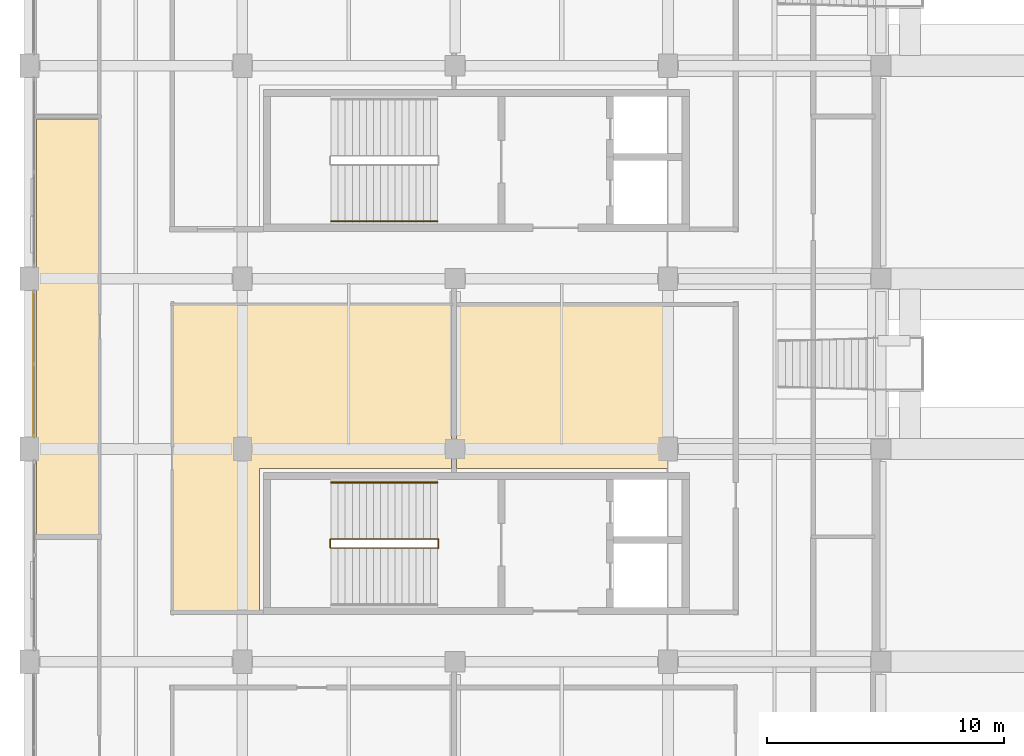
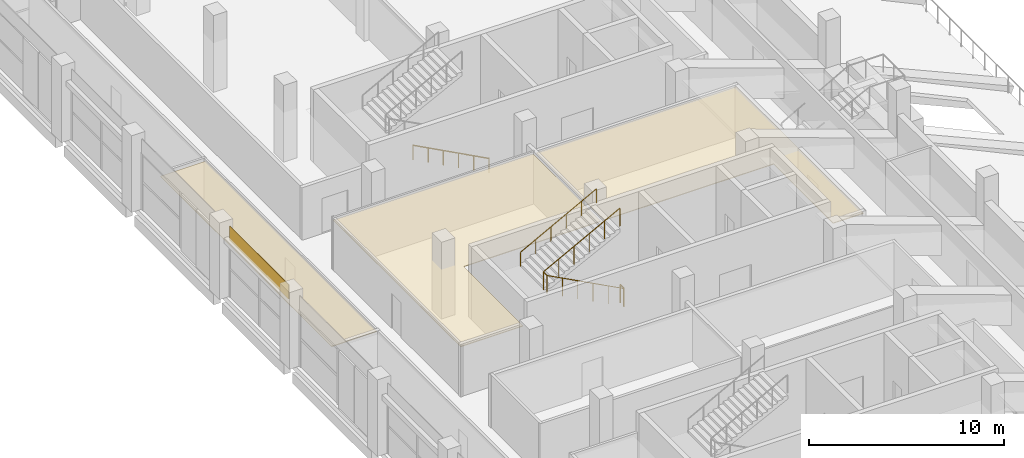
# One storey, part 60 of 66: 4 coverings, 4 railings.
"""IFC4 building model written with IfcOpenShell, lengths in metres."""

from ifc_helpers import new_model, si_unit, direction, frame, origin, origin_2d, place, context, subcontext, project, spatial, polyline, rectangle, circle, outline, extrude, material, layer, layer_set, type_object, element, save


model = new_model("IFC4")

# Units and contexts
model_context = context("Model", 3, precision=1e-05, world=origin(), true_north=direction((0.0, 1.0)))
body_context = subcontext(model_context, "Body", "Model", "MODEL_VIEW")
ifc_project = project(units=[si_unit("LENGTHUNIT", "METRE"), si_unit("AREAUNIT", "SQUARE_METRE"), si_unit("VOLUMEUNIT", "CUBIC_METRE"), si_unit("PLANEANGLEUNIT", "RADIAN"), si_unit("MASSUNIT", "GRAM", prefix="KILO"), si_unit("THERMODYNAMICTEMPERATUREUNIT", "KELVIN"), si_unit("POWERUNIT", "WATT")], contexts=[model_context])

# Site, building, storey
site_placement = place(None, origin())
site = spatial("IfcSite", under=ifc_project, at=site_placement, CompositionType="ELEMENT")
building_placement = place(site_placement, origin())
building = spatial("IfcBuilding", under=site, at=building_placement, Name="Sindhuravela Promenade Stadium", CompositionType="ELEMENT")
storey_placement = place(building_placement, frame((0.0, 0.0, 19.199951171875)))
storey = spatial("IfcBuildingStorey", under=building, at=storey_placement, Name="L04", CompositionType="ELEMENT", Elevation=19.199951171875)

# Coverings
ifc_material_1 = material(Name="Acoustic mineral-fibre ceiling tile", Category="gypsum")
ifc_layer_1 = layer(ifc_material_1, 0.044921875)
ifc_layer_set_1 = layer_set([ifc_layer_1], Name="Acoustic mineral-fibre ceiling tile")
covering_type_1 = type_object("IfcCoveringType", Name="CV-CEIL-2", PredefinedType="CEILING", material=ifc_layer_set_1)
covering_1_placement = place(storey_placement, frame((0.0, 0.0, 3.050048828125)))
element("IfcCovering", 1, at=covering_1_placement, inside=storey, type_object=covering_type_1, Name="Acoustic ceiling Stadium Operations Office", PredefinedType="CEILING", context=body_context, shape_type="SweptSolid", body=[
    extrude(outline(polyline([(6.0400390625, 86.669921875), (6.0380859375, 86.670166015625), (6.0361328125, 86.67041015625), (6.0341796875, 86.6708984375), (6.0322265625, 86.67138671875), (6.030517578125, 86.67236328125), (6.02880859375, 86.67333984375), (6.02734375, 86.674560546875), (6.02587890625, 86.67578125), (6.0244140625, 86.67724609375), (6.0234375, 86.678955078125), (6.0224609375, 86.6806640625), (6.021484375, 86.682373046875), (6.02099609375, 86.68408203125), (6.0205078125, 86.68603515625), (6.02001953125, 86.68798828125), (6.02001953125, 86.68994140625), (6.02001953125, 99.7099609375), (6.02001953125, 99.7119140625), (6.0205078125, 99.7138671875), (6.02099609375, 99.7158203125), (6.021484375, 99.7177734375), (6.0224609375, 99.719482421875), (6.0234375, 99.72119140625), (6.0244140625, 99.72265625), (6.02587890625, 99.72412109375), (6.02734375, 99.7255859375), (6.02880859375, 99.7265625), (6.030517578125, 99.7275390625), (6.0322265625, 99.728515625), (6.0341796875, 99.72900390625), (6.0361328125, 99.7294921875), (6.0380859375, 99.72998046875), (6.0400390625, 99.72998046875), (17.830078125, 99.72998046875), (17.83203125, 99.72998046875), (17.833984375, 99.7294921875), (17.835693359375, 99.72900390625), (17.837646484375, 99.728515625), (17.83935546875, 99.7275390625), (17.841064453125, 99.7265625), (17.8427734375, 99.7255859375), (17.843994140625, 99.72412109375), (17.845458984375, 99.72265625), (17.8466796875, 99.72119140625), (17.84765625, 99.719482421875), (17.848388671875, 99.7177734375), (17.84912109375, 99.7158203125), (17.849609375, 99.7138671875), (17.849853515625, 99.7119140625), (17.85009765625, 99.7099609375), (17.85009765625, 92.800048828125), (17.849853515625, 92.798095703125), (17.849609375, 92.796142578125), (17.84912109375, 92.794189453125), (17.848388671875, 92.792236328125), (17.84765625, 92.79052734375), (17.8466796875, 92.788818359375), (17.845458984375, 92.787353515625), (17.843994140625, 92.785888671875), (17.8427734375, 92.784423828125), (17.841064453125, 92.783447265625), (17.83935546875, 92.782470703125), (17.837646484375, 92.781494140625), (17.835693359375, 92.781005859375), (17.833984375, 92.780517578125), (17.83203125, 92.780029296875), (17.830078125, 92.780029296875), (9.719970703125, 92.780029296875), (9.719970703125, 86.68994140625), (9.719970703125, 86.68798828125), (9.719482421875, 86.68603515625), (9.718994140625, 86.68408203125), (9.718505859375, 86.682373046875), (9.717529296875, 86.6806640625), (9.716552734375, 86.678955078125), (9.715576171875, 86.67724609375), (9.714111328125, 86.67578125), (9.712646484375, 86.674560546875), (9.711181640625, 86.67333984375), (9.70947265625, 86.67236328125), (9.707763671875, 86.67138671875), (9.705810546875, 86.6708984375), (9.703857421875, 86.67041015625), (9.701904296875, 86.670166015625), (9.699951171875, 86.669921875), (6.0400390625, 86.669921875)])), origin(), (0.0, 0.0, 1.0), 0.044921875),
])
covering_2_placement = place(storey_placement, frame((0.0, 0.0, 3.050048828125)))
element("IfcCovering", 2, at=covering_2_placement, inside=storey, type_object=covering_type_1, Name="Acoustic ceiling Accessible WC West L04", PredefinedType="CEILING", context=body_context, shape_type="SweptSolid", body=[
    extrude(outline(polyline([(29.860107421875, 99.72998046875), (29.862060546875, 99.72998046875), (29.864013671875, 99.7294921875), (29.86572265625, 99.72900390625), (29.86767578125, 99.728515625), (29.869384765625, 99.7275390625), (29.87109375, 99.7265625), (29.872802734375, 99.7255859375), (29.8740234375, 99.72412109375), (29.87548828125, 99.72265625), (29.876708984375, 99.72119140625), (29.877685546875, 99.719482421875), (29.87841796875, 99.7177734375), (29.879150390625, 99.7158203125), (29.879638671875, 99.7138671875), (29.8798828125, 99.7119140625), (29.8798828125, 99.7099609375), (29.8798828125, 86.68994140625), (29.8798828125, 86.68798828125), (29.879638671875, 86.68603515625), (29.879150390625, 86.68408203125), (29.87841796875, 86.682373046875), (29.877685546875, 86.6806640625), (29.876708984375, 86.678955078125), (29.87548828125, 86.67724609375), (29.8740234375, 86.67578125), (29.872802734375, 86.674560546875), (29.87109375, 86.67333984375), (29.869384765625, 86.67236328125), (29.86767578125, 86.67138671875), (29.86572265625, 86.6708984375), (29.864013671875, 86.67041015625), (29.862060546875, 86.670166015625), (29.860107421875, 86.669921875), (28.10009765625, 86.669921875), (28.097900390625, 86.670166015625), (28.09619140625, 86.67041015625), (28.09423828125, 86.6708984375), (28.09228515625, 86.67138671875), (28.090576171875, 86.67236328125), (28.0888671875, 86.67333984375), (28.08740234375, 86.674560546875), (28.0859375, 86.67578125), (28.08447265625, 86.67724609375), (28.08349609375, 86.678955078125), (28.08251953125, 86.6806640625), (28.08154296875, 86.682373046875), (28.080810546875, 86.68408203125), (28.080322265625, 86.68603515625), (28.080078125, 86.68798828125), (28.080078125, 86.68994140625), (28.080078125, 92.780029296875), (18.070068359375, 92.780029296875), (18.068115234375, 92.780029296875), (18.066162109375, 92.780517578125), (18.064208984375, 92.781005859375), (18.062255859375, 92.781494140625), (18.060546875, 92.782470703125), (18.058837890625, 92.783447265625), (18.057373046875, 92.784423828125), (18.055908203125, 92.785888671875), (18.054443359375, 92.787353515625), (18.053466796875, 92.788818359375), (18.052490234375, 92.79052734375), (18.051513671875, 92.792236328125), (18.05078125, 92.794189453125), (18.05029296875, 92.796142578125), (18.050048828125, 92.798095703125), (18.050048828125, 92.800048828125), (18.050048828125, 99.7099609375), (18.050048828125, 99.7119140625), (18.05029296875, 99.7138671875), (18.05078125, 99.7158203125), (18.051513671875, 99.7177734375), (18.052490234375, 99.719482421875), (18.053466796875, 99.72119140625), (18.054443359375, 99.72265625), (18.055908203125, 99.72412109375), (18.057373046875, 99.7255859375), (18.058837890625, 99.7265625), (18.060546875, 99.7275390625), (18.062255859375, 99.728515625), (18.064208984375, 99.72900390625), (18.066162109375, 99.7294921875), (18.068115234375, 99.72998046875), (18.070068359375, 99.72998046875), (29.860107421875, 99.72998046875)])), origin(), (0.0, 0.0, 1.0), 0.044921875),
])
covering_3_placement = place(storey_placement, frame((0.0, 0.0, 3.050048828125)))
element("IfcCovering", 3, at=covering_3_placement, inside=storey, type_object=covering_type_1, Name="Acoustic ceiling Supporter Welfare Room West 6", PredefinedType="CEILING", context=body_context, shape_type="SweptSolid", body=[
    extrude(outline(polyline([(2.97998046875, 90.006103515625), (2.97998046875, 90.00390625), (2.9794921875, 90.002197265625), (2.97900390625, 90.000244140625), (2.978515625, 89.998291015625), (2.9775390625, 89.99658203125), (2.9765625, 89.994873046875), (2.9755859375, 89.993408203125), (2.97412109375, 89.991943359375), (2.97265625, 89.990478515625), (2.97119140625, 89.989501953125), (2.969482421875, 89.98828125), (2.9677734375, 89.987548828125), (2.9658203125, 89.98681640625), (2.9638671875, 89.986328125), (2.9619140625, 89.986083984375), (2.9599609375, 89.986083984375), (0.320068359375, 89.986083984375), (0.318115234375, 89.986083984375), (0.316162109375, 89.986328125), (0.314208984375, 89.98681640625), (0.312255859375, 89.987548828125), (0.310546875, 89.98828125), (0.308837890625, 89.989501953125), (0.307373046875, 89.990478515625), (0.305908203125, 89.991943359375), (0.304443359375, 89.993408203125), (0.303466796875, 89.994873046875), (0.302490234375, 89.99658203125), (0.301513671875, 89.998291015625), (0.30078125, 90.000244140625), (0.30029296875, 90.002197265625), (0.300048828125, 90.00390625), (0.300048828125, 90.006103515625), (0.300048828125, 107.5380859375), (0.300048828125, 107.5400390625), (0.30029296875, 107.5419921875), (0.30078125, 107.543701171875), (0.301513671875, 107.545654296875), (0.302490234375, 107.54736328125), (0.303466796875, 107.549072265625), (0.304443359375, 107.55078125), (0.305908203125, 107.552001953125), (0.307373046875, 107.553466796875), (0.308837890625, 107.5546875), (0.310546875, 107.5556640625), (0.312255859375, 107.556396484375), (0.314208984375, 107.55712890625), (0.316162109375, 107.5576171875), (0.318115234375, 107.557861328125), (0.320068359375, 107.55810546875), (2.9599609375, 107.55810546875), (2.9619140625, 107.557861328125), (2.9638671875, 107.5576171875), (2.9658203125, 107.55712890625), (2.9677734375, 107.556396484375), (2.969482421875, 107.5556640625), (2.97119140625, 107.5546875), (2.97265625, 107.553466796875), (2.97412109375, 107.552001953125), (2.9755859375, 107.55078125), (2.9765625, 107.549072265625), (2.9775390625, 107.54736328125), (2.978515625, 107.545654296875), (2.97900390625, 107.543701171875), (2.9794921875, 107.5419921875), (2.97998046875, 107.5400390625), (2.97998046875, 107.5380859375), (2.97998046875, 90.006103515625)])), origin(), (0.0, 0.0, 1.0), 0.044921875),
])
ifc_material_2 = material(Name="Polychrome trencadis ceramic mosaic", Category="masonry")
ifc_layer_2 = layer(ifc_material_2, 0.034912109375)
ifc_layer_set_2 = layer_set([ifc_layer_2], Name="Polychrome trencadis ceramic mosaic")
covering_type_2 = type_object("IfcCoveringType", Name="CV-TRENC-1", PredefinedType="CLADDING", material=ifc_layer_set_2)
covering_4_placement = place(storey_placement, frame((0.179931640625, 97.199951171875, 3.55517578125), z_axis=(0.0, 0.0, 1.0), x_axis=(0.0, 1.0, 0.0)))
element("IfcCovering", 4, at=covering_4_placement, inside=storey, type_object=covering_type_2, Name="Trencadis ceramic mosaic spandrel frieze WEST L04-108", PredefinedType="CLADDING", context=body_context, shape_type="SweptSolid", body=[
    extrude(rectangle(XDim=6.070068359375, YDim=0.034912109375, at=origin_2d()), origin(), (0.0, 0.0, 1.0), 0.905029296875),
])

# Railings
ifc_material_3 = material(Name="Architectural wrought steel E350", Category="steel")
railing_type_1 = type_object("IfcRailingType", Name="RL-GRD-1150", PredefinedType="GUARDRAIL", material=ifc_material_3)
railing_1_placement = place(storey_placement, frame((17.25, 89.409912109375, 0.0)))
element("IfcRailing", 5, at=railing_1_placement, inside=storey, type_object=railing_type_1, Name="Stair ST03 inner well guard (L04)", PredefinedType="GUARDRAIL", context=body_context, shape_type="SweptSolid", body=[
    extrude(circle(Radius=0.02392578125, at=origin_2d()), frame((0.0, 0.0, 1.1259765625), z_axis=(-0.8836349624059475, 0.0, 0.46817651928929505), x_axis=(0.0, -1.0, 0.0)), (0.0, 0.0, 1.0), 5.12646484375),
    extrude(circle(Radius=0.02392578125, at=origin_2d()), frame((-4.530029296875, 0.0, 3.52587890625), z_axis=(0.0, 1.0, 0.0), x_axis=(-1.0, 0.0, 0.0)), (0.0, 0.0, 1.0), 0.380126953125),
    extrude(circle(Radius=0.02392578125, at=origin_2d()), frame((-4.530029296875, 0.380126953125, 3.52587890625), z_axis=(0.8836546633431795, 0.0, 0.46813933390802775), x_axis=(0.0, 1.0, 0.0)), (0.0, 0.0, 1.0), 5.12646484375),
    extrude(circle(Radius=0.02099609375, at=origin_2d()), origin(), (0.0, 0.0, 1.0), 1.101806640625),
    extrude(circle(Radius=0.02099609375, at=origin_2d()), frame((-0.906005859375, 0.0, 0.47998046875)), (0.0, 0.0, 1.0), 1.101806640625),
    extrude(circle(Radius=0.02099609375, at=origin_2d()), frame((-1.81201171875, 0.0, 0.9599609375)), (0.0, 0.0, 1.0), 1.101806640625),
    extrude(circle(Radius=0.02099609375, at=origin_2d()), frame((-2.718017578125, 0.0, 1.440185546875)), (0.0, 0.0, 1.0), 1.101806640625),
    extrude(circle(Radius=0.02099609375, at=origin_2d()), frame((-3.6240234375, 0.0, 1.920166015625)), (0.0, 0.0, 1.0), 1.101806640625),
    extrude(circle(Radius=0.02099609375, at=origin_2d()), frame((-4.530029296875, 0.0, 2.400146484375)), (0.0, 0.0, 1.0), 1.101806640625),
    extrude(circle(Radius=0.02099609375, at=origin_2d()), frame((-4.530029296875, 0.380126953125, 2.400146484375)), (0.0, 0.0, 1.0), 1.101806640625),
    extrude(circle(Radius=0.02099609375, at=origin_2d()), frame((-3.6240234375, 0.380126953125, 2.880126953125)), (0.0, 0.0, 1.0), 1.101806640625),
    extrude(circle(Radius=0.02099609375, at=origin_2d()), frame((-2.718017578125, 0.380126953125, 3.360107421875)), (0.0, 0.0, 1.0), 1.101806640625),
    extrude(circle(Radius=0.02099609375, at=origin_2d()), frame((-1.81201171875, 0.380126953125, 3.840087890625)), (0.0, 0.0, 1.0), 1.101806640625),
    extrude(circle(Radius=0.02099609375, at=origin_2d()), frame((-0.906005859375, 0.380126953125, 4.320068359375)), (0.0, 0.0, 1.0), 1.101806640625),
    extrude(circle(Radius=0.02099609375, at=origin_2d()), frame((0.0, 0.380126953125, 4.800048828125)), (0.0, 0.0, 1.0), 1.101806640625),
])
railing_2_placement = place(storey_placement, frame((17.280029296875, 89.409912109375, 0.0)))
element("IfcRailing", 6, at=railing_2_placement, inside=storey, type_object=railing_type_1, Name="Stair ST03 landing well slot guard (L04)", PredefinedType="GUARDRAIL", context=body_context, shape_type="SweptSolid", body=[
    extrude(circle(Radius=0.02392578125, at=origin_2d()), frame((0.0, 0.0, 1.1259765625), z_axis=(0.0, 1.0, 0.0), x_axis=(-1.0, 0.0, 0.0)), (0.0, 0.0, 1.0), 0.380126953125),
    extrude(circle(Radius=0.02099609375, at=origin_2d()), origin(), (0.0, 0.0, 1.0), 1.101806640625),
    extrude(circle(Radius=0.02099609375, at=origin_2d()), frame((0.0, 0.380126953125, 0.0)), (0.0, 0.0, 1.0), 1.101806640625),
])
railing_type_2 = type_object("IfcRailingType", Name="RL-HND-920", PredefinedType="HANDRAIL", material=ifc_material_3)
railing_3_placement = place(storey_placement, frame((12.75, 92.179931640625, 2.400146484375)))
element("IfcRailing", 7, at=railing_3_placement, inside=storey, type_object=railing_type_2, Name="Stair ST03 upper wall handrail (L04)", PredefinedType="HANDRAIL", context=body_context, shape_type="SweptSolid", body=[
    extrude(circle(Radius=0.02392578125, at=origin_2d()), frame((0.0, 0.0, 0.89599609375), z_axis=(0.8823608919668723, 0.0, 0.4705733272588083), x_axis=(0.0, 1.0, 0.0)), (0.0, 0.0, 1.0), 5.099853515625),
    extrude(circle(Radius=0.02099609375, at=origin_2d()), origin(), (0.0, 0.0, 1.0), 0.871826171875),
    extrude(circle(Radius=0.02099609375, at=origin_2d()), frame((0.89990234375, 0.0, 0.47998046875)), (0.0, 0.0, 1.0), 0.871826171875),
    extrude(circle(Radius=0.02099609375, at=origin_2d()), frame((1.800048828125, 0.0, 0.9599609375)), (0.0, 0.0, 1.0), 0.871826171875),
    extrude(circle(Radius=0.02099609375, at=origin_2d()), frame((2.699951171875, 0.0, 1.43994140625)), (0.0, 0.0, 1.0), 0.871826171875),
    extrude(circle(Radius=0.02099609375, at=origin_2d()), frame((3.60009765625, 0.0, 1.919921875)), (0.0, 0.0, 1.0), 0.871826171875),
    extrude(circle(Radius=0.02099609375, at=origin_2d()), frame((4.5, 0.0, 2.39990234375)), (0.0, 0.0, 1.0), 0.871826171875),
])
railing_4_placement = place(storey_placement, frame((17.25, 103.219970703125, 0.0)))
element("IfcRailing", 8, at=railing_4_placement, inside=storey, type_object=railing_type_2, Name="Stair ST04 lower wall handrail (L04)", PredefinedType="HANDRAIL", context=body_context, shape_type="SweptSolid", body=[
    extrude(circle(Radius=0.02392578125, at=origin_2d()), frame((0.0, 0.0, 0.89599609375), z_axis=(-0.8823410147872734, 0.0, 0.47061059659145427), x_axis=(0.0, -1.0, 0.0)), (0.0, 0.0, 1.0), 5.10009765625),
    extrude(circle(Radius=0.02099609375, at=origin_2d()), origin(), (0.0, 0.0, 1.0), 0.871826171875),
    extrude(circle(Radius=0.02099609375, at=origin_2d()), frame((-0.89990234375, 0.0, 0.47998046875)), (0.0, 0.0, 1.0), 0.871826171875),
    extrude(circle(Radius=0.02099609375, at=origin_2d()), frame((-1.800048828125, 0.0, 0.9599609375)), (0.0, 0.0, 1.0), 0.871826171875),
    extrude(circle(Radius=0.02099609375, at=origin_2d()), frame((-2.699951171875, 0.0, 1.440185546875)), (0.0, 0.0, 1.0), 0.871826171875),
    extrude(circle(Radius=0.02099609375, at=origin_2d()), frame((-3.60009765625, 0.0, 1.920166015625)), (0.0, 0.0, 1.0), 0.871826171875),
    extrude(circle(Radius=0.02099609375, at=origin_2d()), frame((-4.5, 0.0, 2.400146484375)), (0.0, 0.0, 1.0), 0.871826171875),
])

save(model, "model.ifc")
